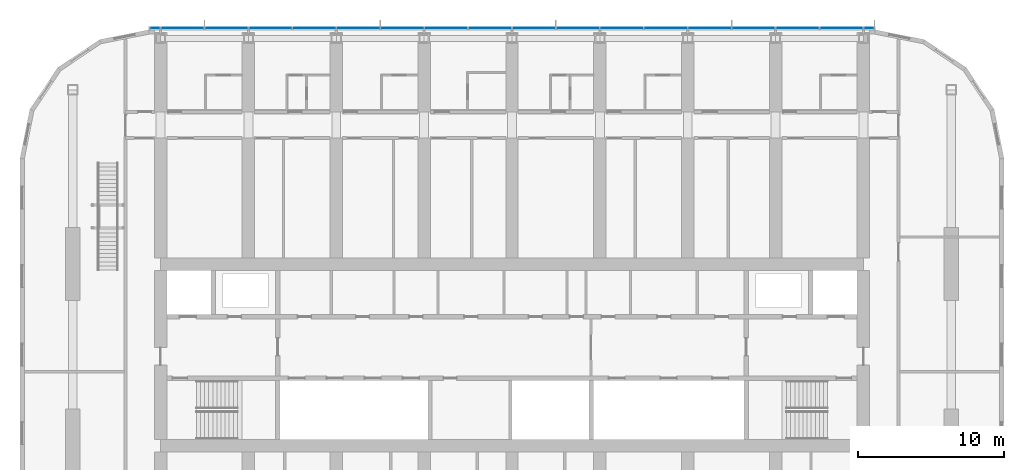
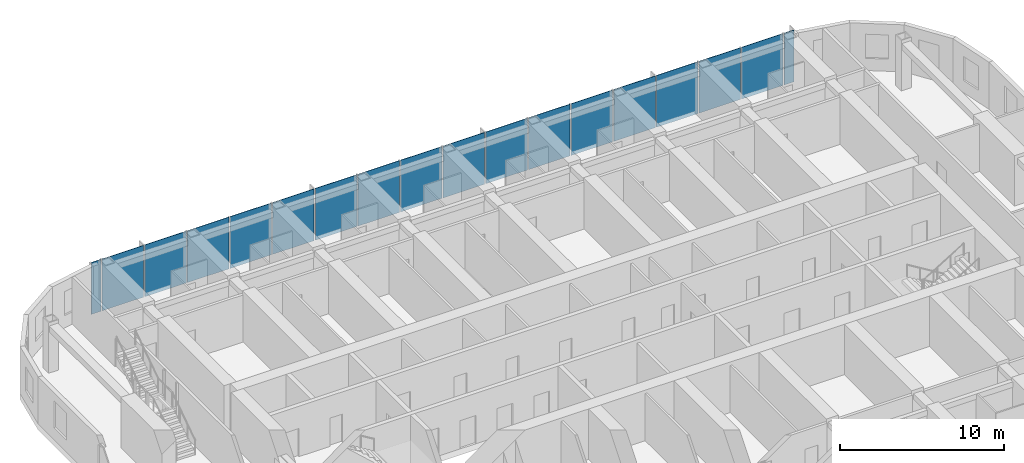
# One storey, part 13 of 29: 18 plates, 1 element without a shape of its own.
"""IFC4 building model written with IfcOpenShell, lengths in metres."""

from ifc_helpers import new_model, si_unit, direction, frame, origin, origin_2d, place, context, subcontext, project, spatial, rectangle, extrude, material, layer, layer_set, type_object, element, aggregate, save


model = new_model("IFC4")

# Units and contexts
model_context = context("Model", 3, precision=1e-05, world=origin(), true_north=direction((0.0, 1.0)))
body_context = subcontext(model_context, "Body", "Model", "MODEL_VIEW")
ifc_project = project(units=[si_unit("LENGTHUNIT", "METRE"), si_unit("AREAUNIT", "SQUARE_METRE"), si_unit("VOLUMEUNIT", "CUBIC_METRE"), si_unit("PLANEANGLEUNIT", "RADIAN"), si_unit("MASSUNIT", "GRAM", prefix="KILO")], contexts=[model_context])

# Site, building, storey
site_placement = place(None, origin())
site = spatial("IfcSite", under=ifc_project, at=site_placement, CompositionType="ELEMENT")
building_placement = place(site_placement, origin())
building = spatial("IfcBuilding", under=site, at=building_placement, Name="Orbita Commons", CompositionType="ELEMENT")
storey_placement = place(building_placement, frame((0.0, 0.0, 148.60009765625)))
storey = spatial("IfcBuildingStorey", under=building, at=storey_placement, Name="L36", CompositionType="ELEMENT", Elevation=148.60009765625)

# Curtain wall, plates
ifc_material_1 = material(Name="Anodised aluminium frame, pale silver", Category="aluminium")
curtain_wall_type = type_object("IfcCurtainWallType", Name="Unitised curtain wall CW-U, full-height vision", PredefinedType="NOTDEFINED", material=ifc_material_1)
curtain_wall_placement = place(storey_placement, origin())
curtain_wall = element("IfcCurtainWall", 1, at=curtain_wall_placement, inside=storey, type_object=curtain_wall_type, Name="Curtain wall north L36", PredefinedType="NOTDEFINED")
ifc_material_2 = material(Name="Clear double glazing", Category="glass")
ifc_layer = layer(ifc_material_2, 0.031982421875)
ifc_layer_set = layer_set([ifc_layer], Name="Clear double glazing")
plate_type = type_object("IfcPlateType", Name="Full-height vision panel, clear glazing 32", PredefinedType="CURTAIN_PANEL", material=ifc_layer_set)
plate_1_placement = place(storey_placement, frame((66.3798828125, 54.31005859375, -0.35009765625), z_axis=(0.0, 0.0, 1.0), x_axis=(-1.0, 0.0, 0.0)))
plate_1 = element("IfcPlate", 2, at=plate_1_placement, type_object=plate_type, Name="Panel 1.1 CW-L36-N", PredefinedType="CURTAIN_PANEL", context=body_context, shape_type="SweptSolid", body=[
    extrude(rectangle(XDim=0.679931640625, YDim=0.031982421875, at=origin_2d()), origin(), (0.0, 0.0, 1.0), 3.85009765625),
])
plate_2_placement = place(storey_placement, frame((64.5, 54.31005859375, -0.35009765625), z_axis=(0.0, 0.0, 1.0), x_axis=(-1.0, 0.0, 0.0)))
plate_2 = element("IfcPlate", 3, at=plate_2_placement, type_object=plate_type, Name="Panel 2.1 CW-L36-N", PredefinedType="CURTAIN_PANEL", context=body_context, shape_type="SweptSolid", body=[
    extrude(rectangle(XDim=2.919921875, YDim=0.031982421875, at=origin_2d()), origin(), (0.0, 0.0, 1.0), 3.85009765625),
])
plate_3_placement = place(storey_placement, frame((61.5, 54.31005859375, -0.35009765625), z_axis=(0.0, 0.0, 1.0), x_axis=(-1.0, 0.0, 0.0)))
plate_3 = element("IfcPlate", 4, at=plate_3_placement, type_object=plate_type, Name="Panel 3.1 CW-L36-N", PredefinedType="CURTAIN_PANEL", context=body_context, shape_type="SweptSolid", body=[
    extrude(rectangle(XDim=2.919921875, YDim=0.031982421875, at=origin_2d()), origin(), (0.0, 0.0, 1.0), 3.85009765625),
])
plate_4_placement = place(storey_placement, frame((58.5, 54.31005859375, -0.35009765625), z_axis=(0.0, 0.0, 1.0), x_axis=(-1.0, 0.0, 0.0)))
plate_4 = element("IfcPlate", 5, at=plate_4_placement, type_object=plate_type, Name="Panel 4.1 CW-L36-N", PredefinedType="CURTAIN_PANEL", context=body_context, shape_type="SweptSolid", body=[
    extrude(rectangle(XDim=2.919921875, YDim=0.031982421875, at=origin_2d()), origin(), (0.0, 0.0, 1.0), 3.85009765625),
])
plate_5_placement = place(storey_placement, frame((55.5, 54.31005859375, -0.35009765625), z_axis=(0.0, 0.0, 1.0), x_axis=(-1.0, 0.0, 0.0)))
plate_5 = element("IfcPlate", 6, at=plate_5_placement, type_object=plate_type, Name="Panel 5.1 CW-L36-N", PredefinedType="CURTAIN_PANEL", context=body_context, shape_type="SweptSolid", body=[
    extrude(rectangle(XDim=2.919921875, YDim=0.031982421875, at=origin_2d()), origin(), (0.0, 0.0, 1.0), 3.85009765625),
])
plate_6_placement = place(storey_placement, frame((52.5, 54.31005859375, -0.35009765625), z_axis=(0.0, 0.0, 1.0), x_axis=(-1.0, 0.0, 0.0)))
plate_6 = element("IfcPlate", 7, at=plate_6_placement, type_object=plate_type, Name="Panel 6.1 CW-L36-N", PredefinedType="CURTAIN_PANEL", context=body_context, shape_type="SweptSolid", body=[
    extrude(rectangle(XDim=2.919921875, YDim=0.031982421875, at=origin_2d()), origin(), (0.0, 0.0, 1.0), 3.85009765625),
])
plate_7_placement = place(storey_placement, frame((49.5, 54.31005859375, -0.35009765625), z_axis=(0.0, 0.0, 1.0), x_axis=(-1.0, 0.0, 0.0)))
plate_7 = element("IfcPlate", 8, at=plate_7_placement, type_object=plate_type, Name="Panel 7.1 CW-L36-N", PredefinedType="CURTAIN_PANEL", context=body_context, shape_type="SweptSolid", body=[
    extrude(rectangle(XDim=2.919921875, YDim=0.031982421875, at=origin_2d()), origin(), (0.0, 0.0, 1.0), 3.85009765625),
])
plate_8_placement = place(storey_placement, frame((46.5, 54.31005859375, -0.35009765625), z_axis=(0.0, 0.0, 1.0), x_axis=(-1.0, 0.0, 0.0)))
plate_8 = element("IfcPlate", 9, at=plate_8_placement, type_object=plate_type, Name="Panel 8.1 CW-L36-N", PredefinedType="CURTAIN_PANEL", context=body_context, shape_type="SweptSolid", body=[
    extrude(rectangle(XDim=2.919921875, YDim=0.031982421875, at=origin_2d()), origin(), (0.0, 0.0, 1.0), 3.85009765625),
])
plate_9_placement = place(storey_placement, frame((43.5, 54.31005859375, -0.35009765625), z_axis=(0.0, 0.0, 1.0), x_axis=(-1.0, 0.0, 0.0)))
plate_9 = element("IfcPlate", 10, at=plate_9_placement, type_object=plate_type, Name="Panel 9.1 CW-L36-N", PredefinedType="CURTAIN_PANEL", context=body_context, shape_type="SweptSolid", body=[
    extrude(rectangle(XDim=2.919921875, YDim=0.031982421875, at=origin_2d()), origin(), (0.0, 0.0, 1.0), 3.85009765625),
])
plate_10_placement = place(storey_placement, frame((40.5, 54.31005859375, -0.35009765625), z_axis=(0.0, 0.0, 1.0), x_axis=(-1.0, 0.0, 0.0)))
plate_10 = element("IfcPlate", 11, at=plate_10_placement, type_object=plate_type, Name="Panel 10.1 CW-L36-N", PredefinedType="CURTAIN_PANEL", context=body_context, shape_type="SweptSolid", body=[
    extrude(rectangle(XDim=2.919921875, YDim=0.031982421875, at=origin_2d()), origin(), (0.0, 0.0, 1.0), 3.85009765625),
])
plate_11_placement = place(storey_placement, frame((37.5, 54.31005859375, -0.35009765625), z_axis=(0.0, 0.0, 1.0), x_axis=(-1.0, 0.0, 0.0)))
plate_11 = element("IfcPlate", 12, at=plate_11_placement, type_object=plate_type, Name="Panel 11.1 CW-L36-N", PredefinedType="CURTAIN_PANEL", context=body_context, shape_type="SweptSolid", body=[
    extrude(rectangle(XDim=2.919921875, YDim=0.031982421875, at=origin_2d()), origin(), (0.0, 0.0, 1.0), 3.85009765625),
])
plate_12_placement = place(storey_placement, frame((34.5, 54.31005859375, -0.35009765625), z_axis=(0.0, 0.0, 1.0), x_axis=(-1.0, 0.0, 0.0)))
plate_12 = element("IfcPlate", 13, at=plate_12_placement, type_object=plate_type, Name="Panel 12.1 CW-L36-N", PredefinedType="CURTAIN_PANEL", context=body_context, shape_type="SweptSolid", body=[
    extrude(rectangle(XDim=2.919921875, YDim=0.031982421875, at=origin_2d()), origin(), (0.0, 0.0, 1.0), 3.85009765625),
])
plate_13_placement = place(storey_placement, frame((31.5, 54.31005859375, -0.35009765625), z_axis=(0.0, 0.0, 1.0), x_axis=(-1.0, 0.0, 0.0)))
plate_13 = element("IfcPlate", 14, at=plate_13_placement, type_object=plate_type, Name="Panel 13.1 CW-L36-N", PredefinedType="CURTAIN_PANEL", context=body_context, shape_type="SweptSolid", body=[
    extrude(rectangle(XDim=2.919921875, YDim=0.031982421875, at=origin_2d()), origin(), (0.0, 0.0, 1.0), 3.85009765625),
])
plate_14_placement = place(storey_placement, frame((28.5, 54.31005859375, -0.35009765625), z_axis=(0.0, 0.0, 1.0), x_axis=(-1.0, 0.0, 0.0)))
plate_14 = element("IfcPlate", 15, at=plate_14_placement, type_object=plate_type, Name="Panel 14.1 CW-L36-N", PredefinedType="CURTAIN_PANEL", context=body_context, shape_type="SweptSolid", body=[
    extrude(rectangle(XDim=2.919921875, YDim=0.031982421875, at=origin_2d()), origin(), (0.0, 0.0, 1.0), 3.85009765625),
])
plate_15_placement = place(storey_placement, frame((25.5, 54.31005859375, -0.35009765625), z_axis=(0.0, 0.0, 1.0), x_axis=(-1.0, 0.0, 0.0)))
plate_15 = element("IfcPlate", 16, at=plate_15_placement, type_object=plate_type, Name="Panel 15.1 CW-L36-N", PredefinedType="CURTAIN_PANEL", context=body_context, shape_type="SweptSolid", body=[
    extrude(rectangle(XDim=2.919921875, YDim=0.031982421875, at=origin_2d()), origin(), (0.0, 0.0, 1.0), 3.85009765625),
])
plate_16_placement = place(storey_placement, frame((22.5, 54.31005859375, -0.35009765625), z_axis=(0.0, 0.0, 1.0), x_axis=(-1.0, 0.0, 0.0)))
plate_16 = element("IfcPlate", 17, at=plate_16_placement, type_object=plate_type, Name="Panel 16.1 CW-L36-N", PredefinedType="CURTAIN_PANEL", context=body_context, shape_type="SweptSolid", body=[
    extrude(rectangle(XDim=2.919921875, YDim=0.031982421875, at=origin_2d()), origin(), (0.0, 0.0, 1.0), 3.85009765625),
])
plate_17_placement = place(storey_placement, frame((19.5, 54.31005859375, -0.35009765625), z_axis=(0.0, 0.0, 1.0), x_axis=(-1.0, 0.0, 0.0)))
plate_17 = element("IfcPlate", 18, at=plate_17_placement, type_object=plate_type, Name="Panel 17.1 CW-L36-N", PredefinedType="CURTAIN_PANEL", context=body_context, shape_type="SweptSolid", body=[
    extrude(rectangle(XDim=2.919921875, YDim=0.031982421875, at=origin_2d()), origin(), (0.0, 0.0, 1.0), 3.85009765625),
])
plate_18_placement = place(storey_placement, frame((17.6201171875, 54.31005859375, -0.35009765625), z_axis=(0.0, 0.0, 1.0), x_axis=(-1.0, 0.0, 0.0)))
plate_18 = element("IfcPlate", 19, at=plate_18_placement, type_object=plate_type, Name="Panel 18.1 CW-L36-N", PredefinedType="CURTAIN_PANEL", context=body_context, shape_type="SweptSolid", body=[
    extrude(rectangle(XDim=0.679931640625, YDim=0.031982421875, at=origin_2d()), origin(), (0.0, 0.0, 1.0), 3.85009765625),
])
aggregate(curtain_wall, [plate_1, plate_2, plate_3, plate_4, plate_5, plate_6, plate_7, plate_8, plate_9, plate_10, plate_11, plate_12, plate_13, plate_14, plate_15, plate_16, plate_17, plate_18])

save(model, "model.ifc")
